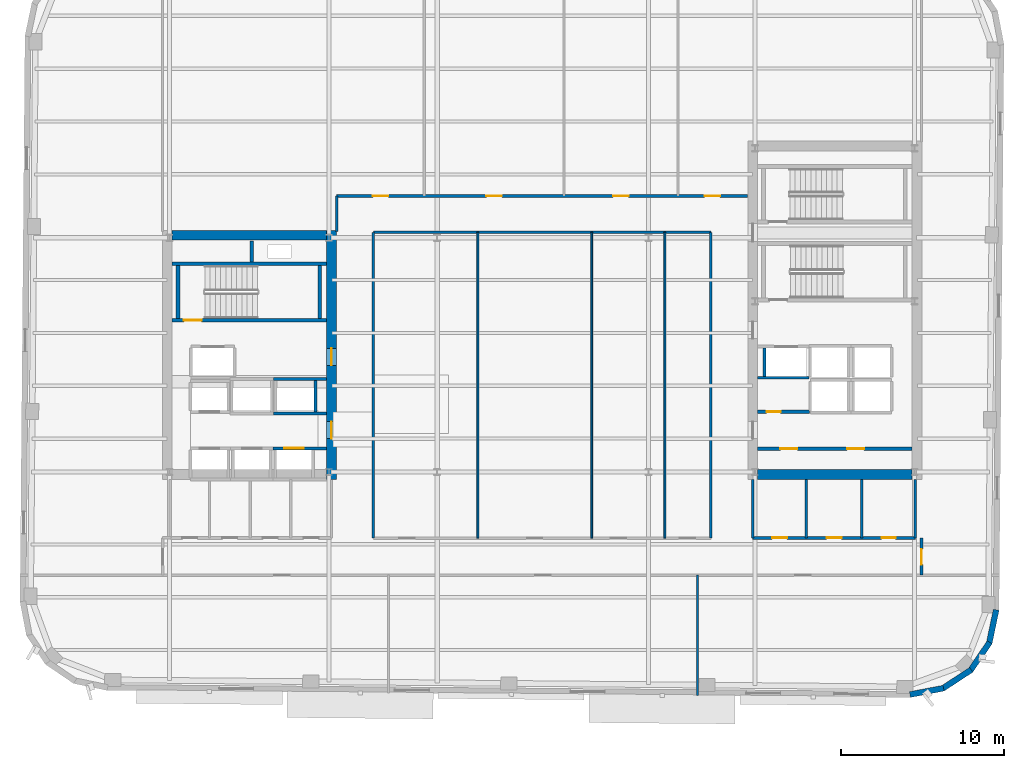
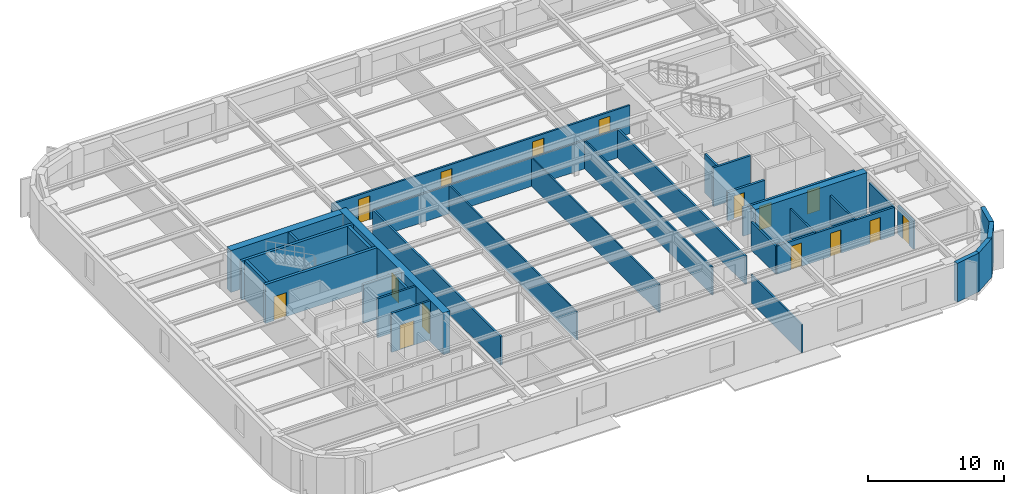
# One storey, part 5 of 12: 35 walls, 15 doors, 15 openings.
"""IFC4 building model written with IfcOpenShell, lengths in metres."""

import ifcopenshell
import ifcopenshell.guid

model = None  # the IFC model being written
_history = None  # IfcOwnerHistory: only IFC2X3 demands one
_inside = {}  # id of a spatial element -> (the spatial element, [elements in it])
_under = {}  # id of a project, library or spatial element -> (it, [spatial elements below it])
_declared = {}  # id of a project -> (the project, [libraries it declares])
_typed = {}  # id of a type object -> (the type object, [elements of that type])
_made_of = {}  # id of a material, layer set ... -> (it, [elements and type objects made of it])


def new_model(schema):
    """Start an empty IFC model of exactly this schema.

    Asked for "IFC4X3", IfcOpenShell would pick the latest addendum, in which some entities
    have other attributes; the version numbers below select the first issue.
    IFC2X3 requires an IfcOwnerHistory on every rooted entity: one is made here for all.
    """
    global model, _history
    if schema == "IFC4X3":
        model = ifcopenshell.file(schema_version=(4, 3, 0, 0))
    else:
        model = ifcopenshell.file(schema=schema)
    _inside.clear()
    _under.clear()
    _declared.clear()
    _typed.clear()
    _made_of.clear()
    _history = None
    if model.schema == "IFC2X3":
        org = make("IfcOrganization", Name="unknown")
        user = make(
            "IfcPersonAndOrganization",
            ThePerson=make("IfcPerson", FamilyName="unknown"),
            TheOrganization=org,
        )
        app = make(
            "IfcApplication",
            ApplicationDeveloper=org,
            Version="unknown",
            ApplicationFullName="unknown",
            ApplicationIdentifier="unknown",
        )
        _history = make(
            "IfcOwnerHistory",
            OwningUser=user,
            OwningApplication=app,
            ChangeAction="ADDED",
            CreationDate=0,
        )
    return model


def make(cls, **values):
    """One entity of the class cls with the attributes given. An attribute that is None is left unset."""
    return model.create_entity(
        cls, **{name: value for name, value in values.items() if value is not None}
    )


def rooted(cls, **values):
    """An entity with a GlobalId (a new one), such as an element, a storey or a relation."""
    return make(cls, GlobalId=ifcopenshell.guid.new(), OwnerHistory=_history, **values)


def si_unit(unit_type, name, prefix=None):
    """IfcSIUnit, for example si_unit("LENGTHUNIT", "METRE", prefix="MILLI")."""
    return make("IfcSIUnit", UnitType=unit_type, Prefix=prefix, Name=name)


def assignment(units):
    """IfcUnitAssignment: the units of a project."""
    return None if units is None else make("IfcUnitAssignment", Units=units)


def point(xyz):
    """IfcCartesianPoint."""
    return None if xyz is None else make("IfcCartesianPoint", Coordinates=xyz)


def direction(xyz):
    """IfcDirection."""
    return None if xyz is None else make("IfcDirection", DirectionRatios=xyz)


def frame(location, z_axis=None, x_axis=None):
    """IfcAxis2Placement3D, a coordinate frame: its origin and axes. An axis left out is left unset."""
    return make(
        "IfcAxis2Placement3D",
        Location=point(location),
        Axis=direction(z_axis),
        RefDirection=direction(x_axis),
    )


def frame_2d(location, x_axis=None):
    """IfcAxis2Placement2D, a coordinate frame in the plane: its origin and x axis."""
    return make(
        "IfcAxis2Placement2D", Location=point(location), RefDirection=direction(x_axis)
    )


def origin():
    """The frame at (0, 0, 0) with its axes left unset."""
    return frame((0.0, 0.0, 0.0))


def place(relative_to, where):
    """IfcLocalPlacement: puts the frame where relative to a parent placement (None: the world)."""
    return make(
        "IfcLocalPlacement", PlacementRelTo=relative_to, RelativePlacement=where
    )


def context(
    kind, dimensions, precision=None, world=None, true_north=None, identifier=None
):
    """IfcGeometricRepresentationContext, for example the 3D "Model" context."""
    return make(
        "IfcGeometricRepresentationContext",
        ContextIdentifier=identifier,
        ContextType=kind,
        CoordinateSpaceDimension=dimensions,
        Precision=precision,
        WorldCoordinateSystem=world,
        TrueNorth=true_north,
    )


def subcontext(parent, identifier, kind, view, scale=None):
    """IfcGeometricRepresentationSubContext, for example "Body" below "Model"."""
    return make(
        "IfcGeometricRepresentationSubContext",
        ContextIdentifier=identifier,
        ContextType=kind,
        ParentContext=parent,
        TargetScale=scale,
        TargetView=view,
    )


def project(units=None, contexts=None):
    """IfcProject with its units and contexts."""
    return rooted(
        "IfcProject",
        Name="project",
        RepresentationContexts=contexts,
        UnitsInContext=assignment(units),
    )


def spatial(cls, under=None, at=None, **own):
    """A site, building, storey or space (cls), placed at a placement, below another one or the project."""
    s = rooted(cls, ObjectPlacement=at, **own)
    if under is not None:
        _under.setdefault(under.id(), (under, []))[1].append(s)
    return s


def profile(cls, at=None, kind="AREA", **sizes):
    """A parametric profile (cls). Its sizes go by their IFC names, for example OverallWidth=200.0."""
    return make(cls, ProfileType=kind, Position=at, **sizes)


def rectangle(**sizes):
    """IfcRectangleProfileDef."""
    return profile("IfcRectangleProfileDef", **sizes)


def extrude(swept, where, along, depth):
    """IfcExtrudedAreaSolid: the profile swept, set in the frame where, extruded along a direction by depth."""
    return make(
        "IfcExtrudedAreaSolid",
        SweptArea=swept,
        Position=where,
        ExtrudedDirection=direction(along),
        Depth=depth,
    )


def shape(context_of_items, identifier, shape_type, items):
    """IfcShapeRepresentation: the items that make up one representation, for example the "Body"."""
    return make(
        "IfcShapeRepresentation",
        ContextOfItems=context_of_items,
        RepresentationIdentifier=identifier,
        RepresentationType=shape_type,
        Items=items,
    )


def material(Name=None, Category=None):
    """IfcMaterial."""
    return make("IfcMaterial", Name=Name, Category=Category)


def layer(
    of_material, thickness, ventilated=None, Name=None, Category=None, Priority=None
):
    """IfcMaterialLayer: one layer of a wall or slab, of a material (None: an air gap)."""
    return make(
        "IfcMaterialLayer",
        Material=of_material,
        LayerThickness=thickness,
        IsVentilated=ventilated,
        Name=Name,
        Category=Category,
        Priority=Priority,
    )


def layer_set(layers, Name=None):
    """IfcMaterialLayerSet."""
    return make("IfcMaterialLayerSet", MaterialLayers=layers, LayerSetName=Name)


def made_of(thing, what):
    """Note that an element or type object is made of a material, layer set ...; save() writes the relation."""
    if what is not None:
        _made_of.setdefault(what.id(), (what, []))[1].append(thing)
    return thing


def type_object(cls, material=None, **own):
    """A type object (cls), such as IfcWallType, which elements share."""
    return made_of(rooted(cls, **own), material)


def element(
    cls,
    number,
    at=None,
    inside=None,
    cuts=None,
    type_object=None,
    material=None,
    context=None,
    identifier="Body",
    shape_type=None,
    held_by="IfcProductDefinitionShape",
    body=None,
    shapes=None,
    **own,
):
    """One element of the class cls, such as IfcWall. Its Tag is "e" and its number.

    at: its placement. inside: the storey or other place that contains it. cuts: it is an
    opening in that element (IfcRelVoidsElement). A single representation is given by context,
    identifier, shape_type and body (its items); several are given by shapes. held_by: the class
    of the entity that holds the representations. save() writes the other relations.
    """
    e = rooted(cls, Tag="e%d" % number, ObjectPlacement=at, **own)
    if body is not None:
        shapes = [shape(context, identifier, shape_type, body)]
    if shapes is not None:
        e.Representation = make(held_by, Representations=shapes)
    if inside is not None:
        _inside.setdefault(inside.id(), (inside, []))[1].append(e)
    if cuts is not None:
        rooted(
            "IfcRelVoidsElement", RelatingBuildingElement=cuts, RelatedOpeningElement=e
        )
    if type_object is not None:
        _typed.setdefault(type_object.id(), (type_object, []))[1].append(e)
    return made_of(e, material)


def fill(opening, filler):
    """IfcRelFillsElement: the door or window that sits in an opening."""
    return rooted(
        "IfcRelFillsElement",
        RelatingOpeningElement=opening,
        RelatedBuildingElement=filler,
    )


def aggregate(whole, parts):
    """IfcRelAggregates: a whole, such as a stair, and the parts it consists of."""
    return rooted("IfcRelAggregates", RelatingObject=whole, RelatedObjects=parts)


def save(model, path):
    """Write the relations noted so far, then the file.

    IfcRelAggregates (storeys below a building ...), IfcRelContainedInSpatialStructure (elements
    in a storey), IfcRelDefinesByType, IfcRelAssociatesMaterial and IfcRelDeclares: one each for
    every whole, place, type object, material and project.
    """
    for whole, parts in _under.values():
        aggregate(whole, parts)
    for where, things in _inside.values():
        rooted(
            "IfcRelContainedInSpatialStructure",
            RelatedElements=things,
            RelatingStructure=where,
        )
    for kind, things in _typed.values():
        rooted("IfcRelDefinesByType", RelatedObjects=things, RelatingType=kind)
    for what, things in _made_of.values():
        rooted("IfcRelAssociatesMaterial", RelatedObjects=things, RelatingMaterial=what)
    for by, libraries in _declared.values():
        rooted("IfcRelDeclares", RelatingContext=by, RelatedDefinitions=libraries)
    model.write(path)


model = new_model("IFC4")

# Units and contexts
model_context = context("Model", 3, precision=1e-05, world=origin(), true_north=direction((0.0, 1.0)))
body_context = subcontext(model_context, "Body", "Model", "MODEL_VIEW")
ifc_project = project(units=[si_unit("LENGTHUNIT", "METRE"), si_unit("AREAUNIT", "SQUARE_METRE"), si_unit("VOLUMEUNIT", "CUBIC_METRE"), si_unit("PLANEANGLEUNIT", "RADIAN"), si_unit("MASSUNIT", "GRAM", prefix="KILO")], contexts=[model_context])

# Site, building, storey
site_placement = place(None, origin())
site = spatial("IfcSite", under=ifc_project, at=site_placement, CompositionType="ELEMENT")
building_placement = place(site_placement, origin())
building = spatial("IfcBuilding", under=site, at=building_placement, Name="Kolvaren Arena Tower", CompositionType="ELEMENT")
storey_placement = place(building_placement, frame((0.0, 0.0, 177.199951171875)))
storey = spatial("IfcBuildingStorey", under=building, at=storey_placement, Name="L42", CompositionType="ELEMENT", Elevation=177.199951171875)

# Wall
ifc_material_1 = material(Name="Gypsum board acoustic assembly", Category="gypsum")
ifc_layer_1 = layer(ifc_material_1, 0.159912109375)
ifc_layer_set_1 = layer_set([ifc_layer_1], Name="Gypsum board acoustic assembly")
wall_type_1 = type_object("IfcWallType", Name="CORR-160", PredefinedType="PARTITIONING", material=ifc_layer_set_1)
wall_1_placement = place(storey_placement, frame((24.820068359375, 34.25, 0.0), z_axis=(0.0, 0.0, 1.0), x_axis=(0.0, 1.0, 0.0)))
element("IfcWall", 1, at=wall_1_placement, inside=storey, type_object=wall_type_1, Name="Interior Partition Wall (L42)", PredefinedType="PARTITIONING", context=body_context, shape_type="SweptSolid", body=[
    extrude(rectangle(XDim=2.169921875, YDim=0.159912109375, at=frame_2d((1.0849609375, 0.0))), origin(), (0.0, 0.0, 1.0), 2.5400390625),
])

# Wall, openings, doors
wall_2_placement = place(storey_placement, frame((24.820068359375, 36.419921875, 0.0), z_axis=(0.0, 0.0, 1.0), x_axis=(1.0, 0.0, 0.0)))
wall_2 = element("IfcWall", 2, at=wall_2_placement, inside=storey, type_object=wall_type_1, Name="Interior Partition Wall (L42)", PredefinedType="PARTITIONING", context=body_context, shape_type="SweptSolid", body=[
    extrude(rectangle(XDim=25.260009765625, YDim=0.159912109375, at=frame_2d((12.6298828125, 0.0))), origin(), (0.0, 0.0, 1.0), 2.5400390625),
])
opening_1_placement = place(wall_2_placement, frame((2.22998046875, 0.0, 0.0)))
opening_1 = element("IfcOpeningElement", 3, at=opening_1_placement, cuts=wall_2, Name="Opening D05", PredefinedType="OPENING", context=body_context, shape_type="SweptSolid", body=[
    extrude(rectangle(XDim=0.949951171875, YDim=2.14990234375, at=frame_2d((0.47509765625, 1.074951171875))), frame((0.0, 0.08984375, 0.0), z_axis=(0.0, -1.0, 0.0), x_axis=(1.0, 0.0, 0.0)), (0.0, 0.0, 1.0), 0.179931640625),
])
opening_2_placement = place(wall_2_placement, frame((9.205078125, 0.0, 0.0)))
opening_2 = element("IfcOpeningElement", 4, at=opening_2_placement, cuts=wall_2, Name="Opening D05", PredefinedType="OPENING", context=body_context, shape_type="SweptSolid", body=[
    extrude(rectangle(XDim=0.949951171875, YDim=2.14990234375, at=frame_2d((0.47509765625, 1.074951171875))), frame((0.0, 0.08984375, 0.0), z_axis=(0.0, -1.0, 0.0), x_axis=(1.0, 0.0, 0.0)), (0.0, 0.0, 1.0), 0.179931640625),
])
opening_3_placement = place(wall_2_placement, frame((17.0048828125, 0.0, 0.0)))
opening_3 = element("IfcOpeningElement", 5, at=opening_3_placement, cuts=wall_2, Name="Opening D05", PredefinedType="OPENING", context=body_context, shape_type="SweptSolid", body=[
    extrude(rectangle(XDim=0.949951171875, YDim=2.14990234375, at=frame_2d((0.47509765625, 1.074951171875))), frame((0.0, 0.08984375, 0.0), z_axis=(0.0, -1.0, 0.0), x_axis=(1.0, 0.0, 0.0)), (0.0, 0.0, 1.0), 0.179931640625),
])
opening_4_placement = place(wall_2_placement, frame((22.6298828125, 0.0, 0.0)))
opening_4 = element("IfcOpeningElement", 6, at=opening_4_placement, cuts=wall_2, Name="Opening D05", PredefinedType="OPENING", context=body_context, shape_type="SweptSolid", body=[
    extrude(rectangle(XDim=0.949951171875, YDim=2.14990234375, at=frame_2d((0.47509765625, 1.074951171875))), frame((0.0, 0.08984375, 0.0), z_axis=(0.0, -1.0, 0.0), x_axis=(1.0, 0.0, 0.0)), (0.0, 0.0, 1.0), 0.179931640625),
])
ifc_material_2 = material(Name="Solid-core oak acoustic office door", Category="wood")
door_type_1 = type_object("IfcDoorType", Name="DOOR-OF-095", OperationType="NOTDEFINED", PredefinedType="DOOR", material=ifc_material_2)
door_1_placement = place(opening_1_placement, origin())
door_1 = element("IfcDoor", 7, at=door_1_placement, inside=storey, type_object=door_type_1, Name="Executive Office Door (L42)", OperationType="SINGLE_SWING_LEFT", OverallHeight=2.14990234375, OverallWidth=0.949951171875, PredefinedType="DOOR", context=body_context, shape_type="SweptSolid", body=[
    extrude(rectangle(XDim=0.949951171875, YDim=2.14990234375, at=frame_2d((0.47509765625, 1.074951171875))), frame((0.0, 0.02490234375, 0.0), z_axis=(0.0, -1.0, 0.0), x_axis=(1.0, 0.0, 0.0)), (0.0, 0.0, 1.0), 0.050048828125),
])
fill(opening_1, door_1)
door_2_placement = place(opening_2_placement, origin())
door_2 = element("IfcDoor", 8, at=door_2_placement, inside=storey, type_object=door_type_1, Name="Corporate Project Office Door (L42)", OperationType="SINGLE_SWING_RIGHT", OverallHeight=2.14990234375, OverallWidth=0.949951171875, PredefinedType="DOOR", context=body_context, shape_type="SweptSolid", body=[
    extrude(rectangle(XDim=0.949951171875, YDim=2.14990234375, at=frame_2d((0.47509765625, 1.074951171875))), frame((0.0, 0.02490234375, 0.0), z_axis=(0.0, -1.0, 0.0), x_axis=(1.0, 0.0, 0.0)), (0.0, 0.0, 1.0), 0.050048828125),
])
fill(opening_2, door_2)
door_3_placement = place(opening_3_placement, origin())
door_3 = element("IfcDoor", 9, at=door_3_placement, inside=storey, type_object=door_type_1, Name="Breakout Pantry and Kitchen Door (L42)", OperationType="SINGLE_SWING_LEFT", OverallHeight=2.14990234375, OverallWidth=0.949951171875, PredefinedType="DOOR", context=body_context, shape_type="SweptSolid", body=[
    extrude(rectangle(XDim=0.949951171875, YDim=2.14990234375, at=frame_2d((0.47509765625, 1.074951171875))), frame((0.0, 0.02490234375, 0.0), z_axis=(0.0, -1.0, 0.0), x_axis=(1.0, 0.0, 0.0)), (0.0, 0.0, 1.0), 0.050048828125),
])
fill(opening_3, door_3)
door_4_placement = place(opening_4_placement, origin())
door_4 = element("IfcDoor", 10, at=door_4_placement, inside=storey, type_object=door_type_1, Name="Meeting Room Door (L42)", OperationType="SINGLE_SWING_RIGHT", OverallHeight=2.14990234375, OverallWidth=0.949951171875, PredefinedType="DOOR", context=body_context, shape_type="SweptSolid", body=[
    extrude(rectangle(XDim=0.949951171875, YDim=2.14990234375, at=frame_2d((0.47509765625, 1.074951171875))), frame((0.0, 0.02490234375, 0.0), z_axis=(0.0, -1.0, 0.0), x_axis=(1.0, 0.0, 0.0)), (0.0, 0.0, 1.0), 0.050048828125),
])
fill(opening_4, door_4)

# Walls
wall_3_placement = place(storey_placement, frame((27.080078125, 34.179931640625, 0.0), z_axis=(0.0, 0.0, 1.0), x_axis=(1.0, 0.0, 0.0)))
element("IfcWall", 11, at=wall_3_placement, inside=storey, type_object=wall_type_1, Name="Interior Partition Wall (L42)", PredefinedType="PARTITIONING", context=body_context, shape_type="SweptSolid", body=[
    extrude(rectangle(XDim=20.739990234375, YDim=0.159912109375, at=frame_2d((10.3701171875, 0.0))), origin(), (0.0, 0.0, 1.0), 2.5400390625),
])
for number, where, z_axis, x_axis, name in (
    (12, (27.080078125, 15.3798828125, 0.0), (0.0, 0.0, 1.0), (0.0, 1.0, 0.0), "Interior Partition Wall (L42)"),
    (13, (47.820068359375, 15.3798828125, 0.0), (0.0, 0.0, 1.0), (0.0, 1.0, 0.0), "Interior Partition Wall (L42)"),
):
    element("IfcWall", number, at=place(storey_placement, frame(where, z_axis=z_axis, x_axis=x_axis)), inside=storey, type_object=wall_type_1, Name=name, PredefinedType="PARTITIONING", context=body_context, shape_type="SweptSolid", body=[
        extrude(rectangle(XDim=18.800048828125, YDim=0.159912109375, at=frame_2d((9.39990234375, 0.0))), origin(), (0.0, 0.0, 1.0), 2.5400390625),
    ])

# Wall, opening, door
wall_4_placement = place(storey_placement, frame((60.780029296875, 13.10009765625, 0.0), z_axis=(0.0, 0.0, 1.0), x_axis=(0.0, 1.0, 0.0)))
wall_4 = element("IfcWall", 14, at=wall_4_placement, inside=storey, type_object=wall_type_1, Name="Interior Partition Wall (L42)", PredefinedType="PARTITIONING", context=body_context, shape_type="SweptSolid", body=[
    extrude(rectangle(XDim=2.2998046875, YDim=0.159912109375, at=frame_2d((1.14990234375, 0.0))), origin(), (0.0, 0.0, 1.0), 2.5400390625),
])
opening_5_placement = place(wall_4_placement, frame((0.64990234375, 0.0, 0.0)))
opening_5 = element("IfcOpeningElement", 15, at=opening_5_placement, cuts=wall_4, Name="Opening D05", PredefinedType="OPENING", context=body_context, shape_type="SweptSolid", body=[
    extrude(rectangle(XDim=0.949951171875, YDim=2.14990234375, at=frame_2d((0.47509765625, 1.074951171875))), frame((0.0, 0.08984375, 0.0), z_axis=(0.0, -1.0, 0.0), x_axis=(1.0, 0.0, 0.0)), (0.0, 0.0, 1.0), 0.179931640625),
])
door_5_placement = place(opening_5_placement, origin())
door_5 = element("IfcDoor", 16, at=door_5_placement, inside=storey, type_object=door_type_1, Name="East Wing Studio Door (L42)", OperationType="SINGLE_SWING_RIGHT", OverallHeight=2.14990234375, OverallWidth=0.949951171875, PredefinedType="DOOR", context=body_context, shape_type="SweptSolid", body=[
    extrude(rectangle(XDim=0.949951171875, YDim=2.14990234375, at=frame_2d((0.47509765625, 1.074951171875))), frame((0.0, 0.02490234375, 0.0), z_axis=(0.0, -1.0, 0.0), x_axis=(1.0, 0.0, 0.0)), (0.0, 0.0, 1.0), 0.050048828125),
])
fill(opening_5, door_5)

# Wall, openings, doors
ifc_material_3 = material(Name="Concrete 60 MPa", Category="concrete")
ifc_layer_2 = layer(ifc_material_3, 0.60009765625)
ifc_layer_set_2 = layer_set([ifc_layer_2], Name="Concrete 60 MPa")
wall_type_2 = type_object("IfcWallType", Name="CWALL-600", PredefinedType="SHEAR", material=ifc_layer_set_2)
wall_5_placement = place(storey_placement, frame((24.5, 19.0, -0.27001953125), z_axis=(0.0, 0.0, 1.0), x_axis=(0.0, 1.0, 0.0)))
wall_5 = element("IfcWall", 17, at=wall_5_placement, inside=storey, type_object=wall_type_2, Name="Core Shear Wall WC-EAST (L42)", PredefinedType="SHEAR", context=body_context, shape_type="SweptSolid", body=[
    extrude(rectangle(XDim=15.300048828125, YDim=0.60009765625, at=frame_2d((7.64990234375, 0.0))), origin(), (0.0, 0.0, 1.0), 3.75),
])
opening_6_placement = place(wall_5_placement, frame((2.5, 0.0, 0.27001953125)))
opening_6 = element("IfcOpeningElement", 18, at=opening_6_placement, cuts=wall_5, Name="Opening D04", PredefinedType="OPENING", context=body_context, shape_type="SweptSolid", body=[
    extrude(rectangle(XDim=1.050048828125, YDim=2.14990234375, at=frame_2d((0.52490234375, 1.074951171875))), frame((0.0, 0.31005859375, 0.0), z_axis=(0.0, -1.0, 0.0), x_axis=(1.0, 0.0, 0.0)), (0.0, 0.0, 1.0), 0.6201171875),
])
opening_7_placement = place(wall_5_placement, frame((7.0, 0.0, 0.27001953125)))
opening_7 = element("IfcOpeningElement", 19, at=opening_7_placement, cuts=wall_5, Name="Opening D04", PredefinedType="OPENING", context=body_context, shape_type="SweptSolid", body=[
    extrude(rectangle(XDim=1.050048828125, YDim=2.14990234375, at=frame_2d((0.52490234375, 1.074951171875))), frame((0.0, 0.31005859375, 0.0), z_axis=(0.0, -1.0, 0.0), x_axis=(1.0, 0.0, 0.0)), (0.0, 0.0, 1.0), 0.6201171875),
])
ifc_material_4 = material(Name="Fire-rated steel lobby door", Category="steel")
door_type_2 = type_object("IfcDoorType", Name="DOOR-FF-105", OperationType="NOTDEFINED", PredefinedType="DOOR", material=ifc_material_4)
door_6_placement = place(opening_6_placement, origin())
door_6 = element("IfcDoor", 20, at=door_6_placement, inside=storey, type_object=door_type_2, Name="West Lift Lobby Fire Door (L42)", OperationType="SINGLE_SWING_LEFT", OverallHeight=2.14990234375, OverallWidth=1.050048828125, PredefinedType="DOOR", context=body_context, shape_type="SweptSolid", body=[
    extrude(rectangle(XDim=1.050048828125, YDim=2.14990234375, at=frame_2d((0.52490234375, 1.074951171875))), frame((0.0, 0.02490234375, 0.0), z_axis=(0.0, -1.0, 0.0), x_axis=(1.0, 0.0, 0.0)), (0.0, 0.0, 1.0), 0.050048828125),
])
fill(opening_6, door_6)
door_7_placement = place(opening_7_placement, origin())
door_7 = element("IfcDoor", 21, at=door_7_placement, inside=storey, type_object=door_type_2, Name="West Firefighter Vestibule Door (L42)", OperationType="SINGLE_SWING_RIGHT", OverallHeight=2.14990234375, OverallWidth=1.050048828125, PredefinedType="DOOR", context=body_context, shape_type="SweptSolid", body=[
    extrude(rectangle(XDim=1.050048828125, YDim=2.14990234375, at=frame_2d((0.52490234375, 1.074951171875))), frame((0.0, 0.02490234375, 0.0), z_axis=(0.0, -1.0, 0.0), x_axis=(1.0, 0.0, 0.0)), (0.0, 0.0, 1.0), 0.050048828125),
])
fill(opening_7, door_7)

# Walls
for number, where, z_axis, x_axis, name in (
    (22, (14.699951171875, 34.0, -0.27001953125), (0.0, 0.0, 1.0), (1.0, 0.0, 0.0), "Core Shear Wall WC-NORTH (L42)"),
    (23, (50.699951171875, 19.300048828125, -0.27001953125), (0.0, 0.0, 1.0), (1.0, 0.0, 0.0), "Core Shear Wall EC-SOUTH (L42)"),
):
    element("IfcWall", number, at=place(storey_placement, frame(where, z_axis=z_axis, x_axis=x_axis)), inside=storey, type_object=wall_type_2, Name=name, PredefinedType="SHEAR", context=body_context, shape_type="SweptSolid", body=[
        extrude(rectangle(XDim=9.5, YDim=0.60009765625, at=frame_2d((4.75, 0.0))), origin(), (0.0, 0.0, 1.0), 3.75),
    ])
ifc_material_5 = material(Name="Precast concrete C50/60", Category="concrete")
ifc_layer_3 = layer(ifc_material_5, 0.360107421875)
ifc_layer_set_3 = layer_set([ifc_layer_3], Name="Precast concrete C50/60")
wall_type_3 = type_object("IfcWallType", Name="EXT-PIER2", PredefinedType="SOLIDWALL", material=ifc_layer_set_3)
wall_6_placement = place(storey_placement, frame((62.136474609375, 6.155029296875, 0.0), z_axis=(0.0, 0.0, 1.0), x_axis=(-0.98246713518, -0.186435855703, 0.0)))
element("IfcWall", 24, at=wall_6_placement, inside=storey, type_object=wall_type_3, Name="Exterior Precast Masonry-Frame Wall (L42)", PredefinedType="SOLIDWALL", context=body_context, shape_type="SweptSolid", body=[
    extrude(rectangle(XDim=2.10693359375, YDim=0.360107421875, at=frame_2d((1.053466796875, 0.0))), origin(), (0.0, 0.0, 1.0), 3.47998046875),
])
wall_7_placement = place(storey_placement, frame((63.83349609375, 7.2841796875, 0.0), z_axis=(0.0, 0.0, 1.0), x_axis=(-0.836303589916, -0.548266637224, 0.0)))
element("IfcWall", 25, at=wall_7_placement, inside=storey, type_object=wall_type_3, Name="Exterior Precast Masonry-Frame Wall (L42)", PredefinedType="SOLIDWALL", context=body_context, shape_type="SweptSolid", body=[
    extrude(rectangle(XDim=2.107177734375, YDim=0.360107421875, at=frame_2d((1.0537109375, 0.0))), origin(), (0.0, 0.0, 1.0), 3.47998046875),
])
for number, where, z_axis, x_axis, name in (
    (26, (64.968994140625, 8.9765625, 0.0), (0.0, 0.0, 1.0), (-0.56277581689, -0.826609569219, 0.0), "Exterior Precast Masonry-Frame Wall (L42)"),
    (27, (65.370849609375, 10.974609375, 0.0), (0.0, 0.0, 1.0), (-0.203709000552, -0.979031482177, 0.0), "Exterior Precast Masonry-Frame Wall (L42)"),
):
    element("IfcWall", number, at=place(storey_placement, frame(where, z_axis=z_axis, x_axis=x_axis)), inside=storey, type_object=wall_type_3, Name=name, PredefinedType="SOLIDWALL", context=body_context, shape_type="SweptSolid", body=[
        extrude(rectangle(XDim=2.10693359375, YDim=0.360107421875, at=frame_2d((1.053466796875, 0.0))), origin(), (0.0, 0.0, 1.0), 3.47998046875),
    ])

# Wall, openings, doors
ifc_material_6 = material(Name="Concrete 40 MPa", Category="concrete")
ifc_layer_4 = layer(ifc_material_6, 0.199951171875)
ifc_layer_set_4 = layer_set([ifc_layer_4], Name="Concrete 40 MPa")
wall_type_4 = type_object("IfcWallType", Name="LOBBY-200", PredefinedType="SOLIDWALL", material=ifc_layer_set_4)
wall_8_placement = place(storey_placement, frame((50.699951171875, 20.8798828125, 0.0), z_axis=(0.0, 0.0, 1.0), x_axis=(1.0, 0.0, 0.0)))
wall_8 = element("IfcWall", 28, at=wall_8_placement, inside=storey, type_object=wall_type_4, Name="Core Shaft Wall (L42)", PredefinedType="SOLIDWALL", context=body_context, shape_type="SweptSolid", body=[
    extrude(rectangle(XDim=9.5, YDim=0.199951171875, at=frame_2d((4.75, 0.0))), origin(), (0.0, 0.0, 1.0), 2.5400390625),
])
opening_8_placement = place(wall_8_placement, frame((1.39990234375, 0.0, 0.0)))
opening_8 = element("IfcOpeningElement", 29, at=opening_8_placement, cuts=wall_8, Name="Opening D04", PredefinedType="OPENING", context=body_context, shape_type="SweptSolid", body=[
    extrude(rectangle(XDim=1.050048828125, YDim=2.14990234375, at=frame_2d((0.52490234375, 1.074951171875))), frame((0.0, 0.10986328125, 0.0), z_axis=(0.0, -1.0, 0.0), x_axis=(1.0, 0.0, 0.0)), (0.0, 0.0, 1.0), 0.219970703125),
])
opening_9_placement = place(wall_8_placement, frame((5.5, 0.0, 0.0)))
opening_9 = element("IfcOpeningElement", 30, at=opening_9_placement, cuts=wall_8, Name="Opening D04", PredefinedType="OPENING", context=body_context, shape_type="SweptSolid", body=[
    extrude(rectangle(XDim=1.050048828125, YDim=2.14990234375, at=frame_2d((0.52490234375, 1.074951171875))), frame((0.0, 0.10986328125, 0.0), z_axis=(0.0, -1.0, 0.0), x_axis=(1.0, 0.0, 0.0)), (0.0, 0.0, 1.0), 0.219970703125),
])
door_8_placement = place(opening_8_placement, origin())
door_8 = element("IfcDoor", 31, at=door_8_placement, inside=storey, type_object=door_type_2, Name="East Telecom Room Fire Door (L42)", OperationType="SINGLE_SWING_RIGHT", OverallHeight=2.14990234375, OverallWidth=1.050048828125, PredefinedType="DOOR", context=body_context, shape_type="SweptSolid", body=[
    extrude(rectangle(XDim=1.050048828125, YDim=2.14990234375, at=frame_2d((0.52490234375, 1.074951171875))), frame((0.0, 0.02490234375, 0.0), z_axis=(0.0, -1.0, 0.0), x_axis=(1.0, 0.0, 0.0)), (0.0, 0.0, 1.0), 0.050048828125),
])
fill(opening_8, door_8)
door_9_placement = place(opening_9_placement, origin())
door_9 = element("IfcDoor", 32, at=door_9_placement, inside=storey, type_object=door_type_2, Name="East Records Room Fire Door (L42)", OperationType="SINGLE_SWING_LEFT", OverallHeight=2.14990234375, OverallWidth=1.050048828125, PredefinedType="DOOR", context=body_context, shape_type="SweptSolid", body=[
    extrude(rectangle(XDim=1.050048828125, YDim=2.14990234375, at=frame_2d((0.52490234375, 1.074951171875))), frame((0.0, 0.02490234375, 0.0), z_axis=(0.0, -1.0, 0.0), x_axis=(1.0, 0.0, 0.0)), (0.0, 0.0, 1.0), 0.050048828125),
])
fill(opening_9, door_9)

# Wall, opening, door
wall_9_placement = place(storey_placement, frame((50.699951171875, 23.159912109375, 0.0), z_axis=(0.0, 0.0, 1.0), x_axis=(1.0, 0.0, 0.0)))
wall_9 = element("IfcWall", 33, at=wall_9_placement, inside=storey, type_object=wall_type_4, Name="Core Shaft Wall (L42)", PredefinedType="SOLIDWALL", context=body_context, shape_type="SweptSolid", body=[
    extrude(rectangle(XDim=3.179931640625, YDim=0.199951171875, at=frame_2d((1.58984375, 0.0))), origin(), (0.0, 0.0, 1.0), 2.5400390625),
])
opening_10_placement = place(wall_9_placement, frame((0.550048828125, 0.0, 0.0)))
opening_10 = element("IfcOpeningElement", 34, at=opening_10_placement, cuts=wall_9, Name="Opening D09", PredefinedType="OPENING", context=body_context, shape_type="SweptSolid", body=[
    extrude(rectangle(XDim=0.860107421875, YDim=2.050048828125, at=frame_2d((0.43017578125, 1.02490234375))), frame((0.0, 0.10986328125, 0.0), z_axis=(0.0, -1.0, 0.0), x_axis=(1.0, 0.0, 0.0)), (0.0, 0.0, 1.0), 0.219970703125),
])
ifc_material_7 = material(Name="Fire-rated steel riser access door", Category="steel")
door_type_3 = type_object("IfcDoorType", Name="DOOR-RS-086", OperationType="NOTDEFINED", PredefinedType="DOOR", material=ifc_material_7)
door_10_placement = place(opening_10_placement, origin())
door_10 = element("IfcDoor", 35, at=door_10_placement, inside=storey, type_object=door_type_3, Name="East AV Riser Closet Door (L42)", OperationType="SINGLE_SWING_LEFT", OverallHeight=2.050048828125, OverallWidth=0.860107421875, PredefinedType="DOOR", context=body_context, shape_type="SweptSolid", body=[
    extrude(rectangle(XDim=0.860107421875, YDim=2.050048828125, at=frame_2d((0.43017578125, 1.02490234375))), frame((0.0, 0.02490234375, 0.0), z_axis=(0.0, -1.0, 0.0), x_axis=(1.0, 0.0, 0.0)), (0.0, 0.0, 1.0), 0.050048828125),
])
fill(opening_10, door_10)

# Walls
ifc_material_8 = material(Name="Gypsum board partition assembly", Category="gypsum")
ifc_layer_5 = layer(ifc_material_8, 0.114990234375)
ifc_layer_set_5 = layer_set([ifc_layer_5], Name="Gypsum board partition assembly")
wall_type_5 = type_object("IfcWallType", Name="PART-115", PredefinedType="PARTITIONING", material=ifc_layer_set_5)
for number, where, z_axis, x_axis, name in (
    (36, (33.5, 15.3798828125, 0.0), (0.0, 0.0, 1.0), (0.0, 1.0, 0.0), "Interior Partition Wall (L42)"),
    (37, (40.5, 15.3798828125, 0.0), (0.0, 0.0, 1.0), (0.0, 1.0, 0.0), "Interior Partition Wall (L42)"),
    (38, (45.0, 15.3798828125, 0.0), (0.0, 0.0, 1.0), (0.0, 1.0, 0.0), "Interior Partition Wall (L42)"),
):
    element("IfcWall", number, at=place(storey_placement, frame(where, z_axis=z_axis, x_axis=x_axis)), inside=storey, type_object=wall_type_5, Name=name, PredefinedType="PARTITIONING", context=body_context, shape_type="SweptSolid", body=[
        extrude(rectangle(XDim=18.800048828125, YDim=0.114990234375, at=frame_2d((9.39990234375, 0.0))), origin(), (0.0, 0.0, 1.0), 2.5400390625),
    ])
ifc_layer_6 = layer(ifc_material_8, 0.135009765625)
ifc_layer_set_6 = layer_set([ifc_layer_6], Name="Gypsum board partition assembly")
wall_type_6 = type_object("IfcWallType", Name="PART-135", PredefinedType="PARTITIONING", material=ifc_layer_set_6)
wall_10_placement = place(storey_placement, frame((47.0, 5.69970703125, 0.0), z_axis=(0.0, 0.0, 1.0), x_axis=(0.0, 1.0, 0.0)))
element("IfcWall", 39, at=wall_10_placement, inside=storey, type_object=wall_type_6, Name="Interior Partition Wall (L42)", PredefinedType="PARTITIONING", context=body_context, shape_type="SweptSolid", body=[
    extrude(rectangle(XDim=7.400390625, YDim=0.135009765625, at=frame_2d((3.7001953125, 0.0))), origin(), (0.0, 0.0, 1.0), 2.5400390625),
])

# Wall, opening, door
ifc_material_9 = material(Name="Concrete 45 MPa", Category="concrete")
ifc_layer_7 = layer(ifc_material_9, 0.25)
ifc_layer_set_7 = layer_set([ifc_layer_7], Name="Concrete 45 MPa")
wall_type_7 = type_object("IfcWallType", Name="SHAFT-250", PredefinedType="SOLIDWALL", material=ifc_layer_set_7)
wall_11_placement = place(storey_placement, frame((24.199951171875, 28.780029296875, 0.0), z_axis=(0.0, 0.0, 1.0), x_axis=(-1.0, 0.0, 0.0)))
wall_11 = element("IfcWall", 40, at=wall_11_placement, inside=storey, type_object=wall_type_7, Name="Core Shaft Wall (L42)", PredefinedType="SOLIDWALL", context=body_context, shape_type="SweptSolid", body=[
    extrude(rectangle(XDim=9.5, YDim=0.239990234375, at=frame_2d((4.75, 0.0))), origin(), (0.0, 0.0, 1.0), 3.47998046875),
])
opening_11_placement = place(wall_11_placement, frame((7.679931640625, 0.0, 0.0)))
opening_11 = element("IfcOpeningElement", 41, at=opening_11_placement, cuts=wall_11, Name="Opening D03", PredefinedType="OPENING", context=body_context, shape_type="SweptSolid", body=[
    extrude(rectangle(XDim=1.10009765625, YDim=2.14990234375, at=frame_2d((0.550048828125, 1.074951171875))), frame((0.0, 0.1298828125, 0.0), z_axis=(0.0, -1.0, 0.0), x_axis=(1.0, 0.0, 0.0)), (0.0, 0.0, 1.0), 0.260009765625),
])
ifc_material_10 = material(Name="Fire-rated steel exit stair door", Category="steel")
door_type_4 = type_object("IfcDoorType", Name="DOOR-ST-110", OperationType="NOTDEFINED", PredefinedType="DOOR", material=ifc_material_10)
door_11_placement = place(opening_11_placement, origin())
door_11 = element("IfcDoor", 42, at=door_11_placement, inside=storey, type_object=door_type_4, Name="Stair ST-W1 Fire Door (L42)", OperationType="SINGLE_SWING_RIGHT", OverallHeight=2.14990234375, OverallWidth=1.10009765625, PredefinedType="DOOR", context=body_context, shape_type="SweptSolid", body=[
    extrude(rectangle(XDim=1.10009765625, YDim=2.14990234375, at=frame_2d((0.550048828125, 1.074951171875))), frame((0.0, 0.02490234375, 0.0), z_axis=(0.0, -1.0, 0.0), x_axis=(1.0, 0.0, 0.0)), (0.0, 0.0, 1.0), 0.050048828125),
])
fill(opening_11, door_11)

# Walls
wall_12_placement = place(storey_placement, frame((14.699951171875, 32.25, 0.0), z_axis=(0.0, 0.0, 1.0), x_axis=(1.0, 0.0, 0.0)))
element("IfcWall", 43, at=wall_12_placement, inside=storey, type_object=wall_type_7, Name="Core Shaft Wall (L42)", PredefinedType="SOLIDWALL", context=body_context, shape_type="SweptSolid", body=[
    extrude(rectangle(XDim=9.5, YDim=0.239990234375, at=frame_2d((4.75, 0.0))), origin(), (0.0, 0.0, 1.0), 3.47998046875),
])
for number, where, z_axis, x_axis, name in (
    (44, (15.06005859375, 28.89990234375, 0.0), (0.0, 0.0, 1.0), (0.0, 1.0, 0.0), "Core Shaft Wall (L42)"),
    (45, (23.780029296875, 28.89990234375, 0.0), (0.0, 0.0, 1.0), (0.0, 1.0, 0.0), "Core Shaft Wall (L42)"),
):
    element("IfcWall", number, at=place(storey_placement, frame(where, z_axis=z_axis, x_axis=x_axis)), inside=storey, type_object=wall_type_7, Name=name, PredefinedType="SOLIDWALL", context=body_context, shape_type="SweptSolid", body=[
        extrude(rectangle(XDim=3.22998046875, YDim=0.239990234375, at=frame_2d((1.614990234375, 0.0))), origin(), (0.0, 0.0, 1.0), 3.47998046875),
    ])
wall_13_placement = place(storey_placement, frame((19.60009765625, 32.3701171875, 0.0), z_axis=(0.0, 0.0, 1.0), x_axis=(0.0, 1.0, 0.0)))
element("IfcWall", 46, at=wall_13_placement, inside=storey, type_object=wall_type_7, Name="Core Shaft Wall (L42)", PredefinedType="SOLIDWALL", context=body_context, shape_type="SweptSolid", body=[
    extrude(rectangle(XDim=1.27978515625, YDim=0.199951171875, at=frame_2d((0.639892578125, 0.0))), origin(), (0.0, 0.0, 1.0), 3.47998046875),
])
wall_14_placement = place(storey_placement, frame((50.699951171875, 25.2451171875, 0.0), z_axis=(0.0, 0.0, 1.0), x_axis=(1.0, 0.0, 0.0)))
element("IfcWall", 47, at=wall_14_placement, inside=storey, type_object=wall_type_7, Name="Core Shaft Wall (L42)", PredefinedType="SOLIDWALL", context=body_context, shape_type="SweptSolid", body=[
    extrude(rectangle(XDim=3.1650390625, YDim=0.179931640625, at=frame_2d((1.58251953125, 0.0))), origin(), (0.0, 0.0, 1.0), 3.47998046875),
])
wall_15_placement = place(storey_placement, frame((51.1298828125, 25.3349609375, 0.0), z_axis=(0.0, 0.0, 1.0), x_axis=(0.0, 1.0, 0.0)))
element("IfcWall", 48, at=wall_15_placement, inside=storey, type_object=wall_type_7, Name="Core Shaft Wall (L42)", PredefinedType="SOLIDWALL", context=body_context, shape_type="SweptSolid", body=[
    extrude(rectangle(XDim=1.72998046875, YDim=0.179931640625, at=frame_2d((0.864990234375, 0.0))), origin(), (0.0, 0.0, 1.0), 3.47998046875),
])

# Wall, opening, door
wall_16_placement = place(storey_placement, frame((20.89990234375, 20.905029296875, 0.0), z_axis=(0.0, 0.0, 1.0), x_axis=(1.0, 0.0, 0.0)))
wall_16 = element("IfcWall", 49, at=wall_16_placement, inside=storey, type_object=wall_type_7, Name="Core Shaft Wall (L42)", PredefinedType="SOLIDWALL", context=body_context, shape_type="SweptSolid", body=[
    extrude(rectangle(XDim=3.300048828125, YDim=0.179931640625, at=frame_2d((1.64990234375, 0.0))), origin(), (0.0, 0.0, 1.0), 3.47998046875),
])
opening_12_placement = place(wall_16_placement, frame((0.699951171875, 0.0, 0.0)))
opening_12 = element("IfcOpeningElement", 50, at=opening_12_placement, cuts=wall_16, Name="Opening LD1", PredefinedType="OPENING", context=body_context, shape_type="SweptSolid", body=[
    extrude(rectangle(XDim=1.199951171875, YDim=2.199951171875, at=frame_2d((0.60009765625, 1.10009765625))), frame((0.0, 0.099853515625, 0.0), z_axis=(0.0, -1.0, 0.0), x_axis=(1.0, 0.0, 0.0)), (0.0, 0.0, 1.0), 0.199951171875),
])
ifc_material_11 = material(Name="Stainless steel passenger lift landing door", Category="steel")
door_type_5 = type_object("IfcDoorType", Name="DOOR-LD-120", OperationType="DOUBLE_DOOR_SLIDING", PredefinedType="DOOR", material=ifc_material_11)
door_12_placement = place(opening_12_placement, origin())
door_12 = element("IfcDoor", 51, at=door_12_placement, inside=storey, type_object=door_type_5, Name="Lift EL-MR3 Landing Door (L42)", OperationType="DOUBLE_DOOR_SLIDING", OverallHeight=2.199951171875, OverallWidth=1.199951171875, PredefinedType="DOOR", context=body_context, shape_type="SweptSolid", body=[
    extrude(rectangle(XDim=1.199951171875, YDim=2.199951171875, at=frame_2d((0.60009765625, 1.10009765625))), frame((0.0, 0.02490234375, 0.0), z_axis=(0.0, -1.0, 0.0), x_axis=(1.0, 0.0, 0.0)), (0.0, 0.0, 1.0), 0.050048828125),
])
fill(opening_12, door_12)

# Walls
for number, where, z_axis, x_axis, name in (
    (52, (20.949951171875, 25.155029296875, 0.0), (0.0, 0.0, 1.0), (1.0, 0.0, 0.0), "Core Shaft Wall (L42)"),
    (53, (20.949951171875, 23.044921875, 0.0), (0.0, 0.0, 1.0), (1.0, 0.0, 0.0), "Core Shaft Wall (L42)"),
):
    element("IfcWall", number, at=place(storey_placement, frame(where, z_axis=z_axis, x_axis=x_axis)), inside=storey, type_object=wall_type_7, Name=name, PredefinedType="SOLIDWALL", context=body_context, shape_type="SweptSolid", body=[
        extrude(rectangle(XDim=3.25, YDim=0.179931640625, at=frame_2d((1.625, 0.0))), origin(), (0.0, 0.0, 1.0), 3.47998046875),
    ])
wall_17_placement = place(storey_placement, frame((23.530029296875, 23.135009765625, 0.0), z_axis=(0.0, 0.0, 1.0), x_axis=(0.0, 1.0, 0.0)))
element("IfcWall", 54, at=wall_17_placement, inside=storey, type_object=wall_type_7, Name="Core Shaft Wall (L42)", PredefinedType="SOLIDWALL", context=body_context, shape_type="SweptSolid", body=[
    extrude(rectangle(XDim=1.929931640625, YDim=0.179931640625, at=frame_2d((0.96484375, 0.0))), origin(), (0.0, 0.0, 1.0), 3.47998046875),
])

# Wall, openings, doors
wall_18_placement = place(storey_placement, frame((50.39990234375, 15.39990234375, 0.0), z_axis=(0.0, 0.0, 1.0), x_axis=(1.0, 0.0, 0.0)))
wall_18 = element("IfcWall", 55, at=wall_18_placement, inside=storey, type_object=wall_type_7, Name="Interior Partition Wall (L42)", PredefinedType="SOLIDWALL", context=body_context, shape_type="SweptSolid", body=[
    extrude(rectangle(XDim=10.0, YDim=0.179931640625, at=frame_2d((5.0, 0.0))), origin(), (0.0, 0.0, 1.0), 2.5400390625),
])
opening_13_placement = place(wall_18_placement, frame((1.18994140625, 0.0, 0.0)))
opening_13 = element("IfcOpeningElement", 56, at=opening_13_placement, cuts=wall_18, Name="Opening D07", PredefinedType="OPENING", context=body_context, shape_type="SweptSolid", body=[
    extrude(rectangle(XDim=0.919921875, YDim=2.10009765625, at=frame_2d((0.4599609375, 1.050048828125))), frame((0.0, 0.099853515625, 0.0), z_axis=(0.0, -1.0, 0.0), x_axis=(1.0, 0.0, 0.0)), (0.0, 0.0, 1.0), 0.199951171875),
])
opening_14_placement = place(wall_18_placement, frame((4.5400390625, 0.0, 0.0)))
opening_14 = element("IfcOpeningElement", 57, at=opening_14_placement, cuts=wall_18, Name="Opening D07", PredefinedType="OPENING", context=body_context, shape_type="SweptSolid", body=[
    extrude(rectangle(XDim=0.919921875, YDim=2.10009765625, at=frame_2d((0.4599609375, 1.050048828125))), frame((0.0, 0.099853515625, 0.0), z_axis=(0.0, -1.0, 0.0), x_axis=(1.0, 0.0, 0.0)), (0.0, 0.0, 1.0), 0.199951171875),
])
opening_15_placement = place(wall_18_placement, frame((7.919921875, 0.0, 0.0)))
opening_15 = element("IfcOpeningElement", 58, at=opening_15_placement, cuts=wall_18, Name="Opening D09", PredefinedType="OPENING", context=body_context, shape_type="SweptSolid", body=[
    extrude(rectangle(XDim=0.860107421875, YDim=2.050048828125, at=frame_2d((0.43017578125, 1.02490234375))), frame((0.0, 0.099853515625, 0.0), z_axis=(0.0, -1.0, 0.0), x_axis=(1.0, 0.0, 0.0)), (0.0, 0.0, 1.0), 0.199951171875),
])
door_13_placement = place(opening_15_placement, origin())
door_13 = element("IfcDoor", 59, at=door_13_placement, inside=storey, type_object=door_type_3, Name="Mechanical Riser Closet Door (L42)", OperationType="SINGLE_SWING_RIGHT", OverallHeight=2.050048828125, OverallWidth=0.860107421875, PredefinedType="DOOR", context=body_context, shape_type="SweptSolid", body=[
    extrude(rectangle(XDim=0.860107421875, YDim=2.050048828125, at=frame_2d((0.43017578125, 1.02490234375))), frame((0.0, 0.02490234375, 0.0), z_axis=(0.0, -1.0, 0.0), x_axis=(1.0, 0.0, 0.0)), (0.0, 0.0, 1.0), 0.050048828125),
])
fill(opening_15, door_13)
ifc_material_12 = material(Name="Laminate universal washroom door", Category="wood")
door_type_6 = type_object("IfcDoorType", Name="DOOR-WC-092", OperationType="NOTDEFINED", PredefinedType="DOOR", material=ifc_material_12)
door_14_placement = place(opening_13_placement, origin())
door_14 = element("IfcDoor", 60, at=door_14_placement, inside=storey, type_object=door_type_6, Name="Staff Pantry Door (L42)", OperationType="SINGLE_SWING_RIGHT", OverallHeight=2.10009765625, OverallWidth=0.919921875, PredefinedType="DOOR", context=body_context, shape_type="SweptSolid", body=[
    extrude(rectangle(XDim=0.919921875, YDim=2.10009765625, at=frame_2d((0.4599609375, 1.050048828125))), frame((0.0, 0.02490234375, 0.0), z_axis=(0.0, -1.0, 0.0), x_axis=(1.0, 0.0, 0.0)), (0.0, 0.0, 1.0), 0.050048828125),
])
fill(opening_13, door_14)
door_15_placement = place(opening_14_placement, origin())
door_15 = element("IfcDoor", 61, at=door_15_placement, inside=storey, type_object=door_type_6, Name="Gender-Neutral Washroom Door (L42)", OperationType="SINGLE_SWING_LEFT", OverallHeight=2.10009765625, OverallWidth=0.919921875, PredefinedType="DOOR", context=body_context, shape_type="SweptSolid", body=[
    extrude(rectangle(XDim=0.919921875, YDim=2.10009765625, at=frame_2d((0.4599609375, 1.050048828125))), frame((0.0, 0.02490234375, 0.0), z_axis=(0.0, -1.0, 0.0), x_axis=(1.0, 0.0, 0.0)), (0.0, 0.0, 1.0), 0.050048828125),
])
fill(opening_14, door_15)

# Walls
ifc_material_13 = material(Name="Moisture-resistant gypsum assembly", Category="gypsum")
ifc_layer_8 = layer(ifc_material_13, 0.14990234375)
ifc_layer_set_8 = layer_set([ifc_layer_8], Name="Moisture-resistant gypsum assembly")
wall_type_8 = type_object("IfcWallType", Name="WETW-150", PredefinedType="PARTITIONING", material=ifc_layer_set_8)
for number, where, z_axis, x_axis, name in (
    (62, (53.699951171875, 15.39990234375, 0.0), (0.0, 0.0, 1.0), (0.0, 1.0, 0.0), "Interior Partition Wall (L42)"),
    (63, (57.10009765625, 15.39990234375, 0.0), (0.0, 0.0, 1.0), (0.0, 1.0, 0.0), "Interior Partition Wall (L42)"),
    (64, (50.39990234375, 15.39990234375, 0.0), (0.0, 0.0, 1.0), (0.0, 1.0, 0.0), "Interior Partition Wall (L42)"),
    (65, (60.39990234375, 15.39990234375, 0.0), (0.0, 0.0, 1.0), (0.0, 1.0, 0.0), "Interior Partition Wall (L42)"),
):
    element("IfcWall", number, at=place(storey_placement, frame(where, z_axis=z_axis, x_axis=x_axis)), inside=storey, type_object=wall_type_8, Name=name, PredefinedType="PARTITIONING", context=body_context, shape_type="SweptSolid", body=[
        extrude(rectangle(XDim=3.580078125, YDim=0.14990234375, at=frame_2d((1.7900390625, 0.0))), origin(), (0.0, 0.0, 1.0), 2.5400390625),
    ])

save(model, "model.ifc")
